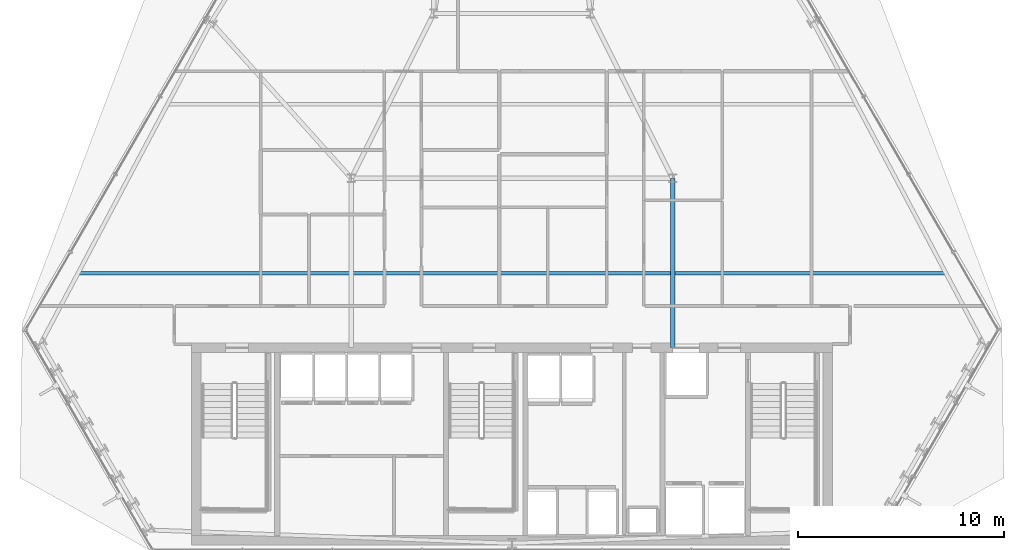
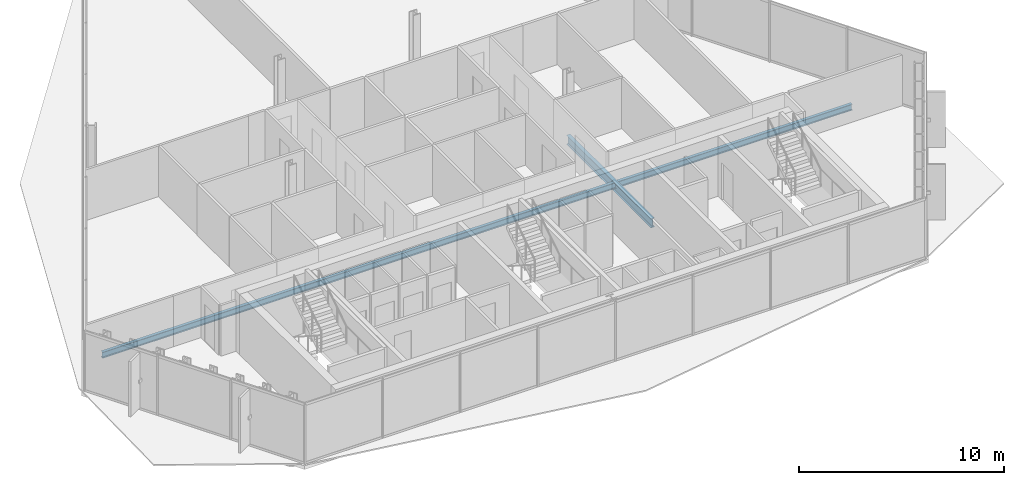
# One storey, part 10 of 36: 2 beams.
"""IFC4 building model written with IfcOpenShell, lengths in metres."""

from ifc_helpers import new_model, si_unit, direction, frame, origin, origin_2d, place, context, subcontext, project, spatial, i_section, extrude, material, material_profile, profile_set, type_object, element, save


model = new_model("IFC4")

# Units and contexts
model_context = context("Model", 3, precision=1e-05, world=origin(), true_north=direction((0.0, 1.0)))
body_context = subcontext(model_context, "Body", "Model", "MODEL_VIEW")
ifc_project = project(units=[si_unit("LENGTHUNIT", "METRE"), si_unit("AREAUNIT", "SQUARE_METRE"), si_unit("VOLUMEUNIT", "CUBIC_METRE"), si_unit("PLANEANGLEUNIT", "RADIAN"), si_unit("MASSUNIT", "GRAM", prefix="KILO")], contexts=[model_context])

# Site, building, storey
site_placement = place(None, origin())
site = spatial("IfcSite", under=ifc_project, at=site_placement, CompositionType="ELEMENT")
building_placement = place(site_placement, origin())
building = spatial("IfcBuilding", under=site, at=building_placement, Name="Ndaravel Arena Tower", CompositionType="ELEMENT")
storey_placement = place(building_placement, frame((0.0, 0.0, 127.0)))
storey = spatial("IfcBuildingStorey", under=building, at=storey_placement, Name="L29", CompositionType="ELEMENT", Elevation=127.0)

# Beams
ifc_material_1 = material(Name="Steel S355", Category="steel")
ifc_material_profile_1 = material_profile(ifc_material_1, i_section(OverallWidth=0.210693359375, OverallDepth=0.53955078125, WebThickness=0.01171875, FlangeThickness=0.018798828125, FilletRadius=0.0126953125, at=origin_2d()), Name="UB 533x210x109")
ifc_profile_set_1 = profile_set([ifc_material_profile_1], Name="Steel S355")
beam_type_1 = type_object("IfcBeamType", Name="BM-GIRD-UB533", PredefinedType="BEAM", material=ifc_profile_set_1)
beam_1_placement = place(storey_placement, frame((49.800048828125, 14.97998046875, -0.48974609375), z_axis=(0.0, 1.0, 0.0), x_axis=(-1.0, 0.0, 0.0)))
element("IfcBeam", 1, at=beam_1_placement, inside=storey, type_object=beam_type_1, Name="L29 Spine Link Girder SLG-02", PredefinedType="BEAM", context=body_context, shape_type="SweptSolid", body=[
    extrude(i_section(OverallWidth=0.210693359375, OverallDepth=0.53955078125, WebThickness=0.01171875, FlangeThickness=0.018798828125, FilletRadius=0.0126953125, at=origin_2d()), origin(), (0.0, 0.0, 1.0), 8.219970703125),
])
ifc_material_2 = material(Name="Steel S355", Category="steel")
ifc_material_profile_2 = material_profile(ifc_material_2, i_section(OverallWidth=0.172119140625, OverallDepth=0.35791015625, WebThickness=0.008056640625, FlangeThickness=0.012939453125, FilletRadius=0.01025390625, at=origin_2d()), Name="UB 356x171x57")
ifc_profile_set_2 = profile_set([ifc_material_profile_2], Name="Steel S355")
beam_type_2 = type_object("IfcBeamType", Name="BM-JOIST-UB356", PredefinedType="JOIST", material=ifc_profile_set_2)
beam_2_placement = place(storey_placement, frame((20.935546875, 18.60009765625, -0.39892578125), z_axis=(1.0, 0.0, 0.0), x_axis=(0.0, 1.0, 0.0)))
element("IfcBeam", 2, at=beam_2_placement, inside=storey, type_object=beam_type_2, Name="L29 Composite Floor Joist FJ-01", PredefinedType="JOIST", context=body_context, shape_type="SweptSolid", body=[
    extrude(i_section(OverallWidth=0.172119140625, OverallDepth=0.35791015625, WebThickness=0.008056640625, FlangeThickness=0.012939453125, FilletRadius=0.01025390625, at=origin_2d()), origin(), (0.0, 0.0, 1.0), 42.12890625),
])

save(model, "model.ifc")
